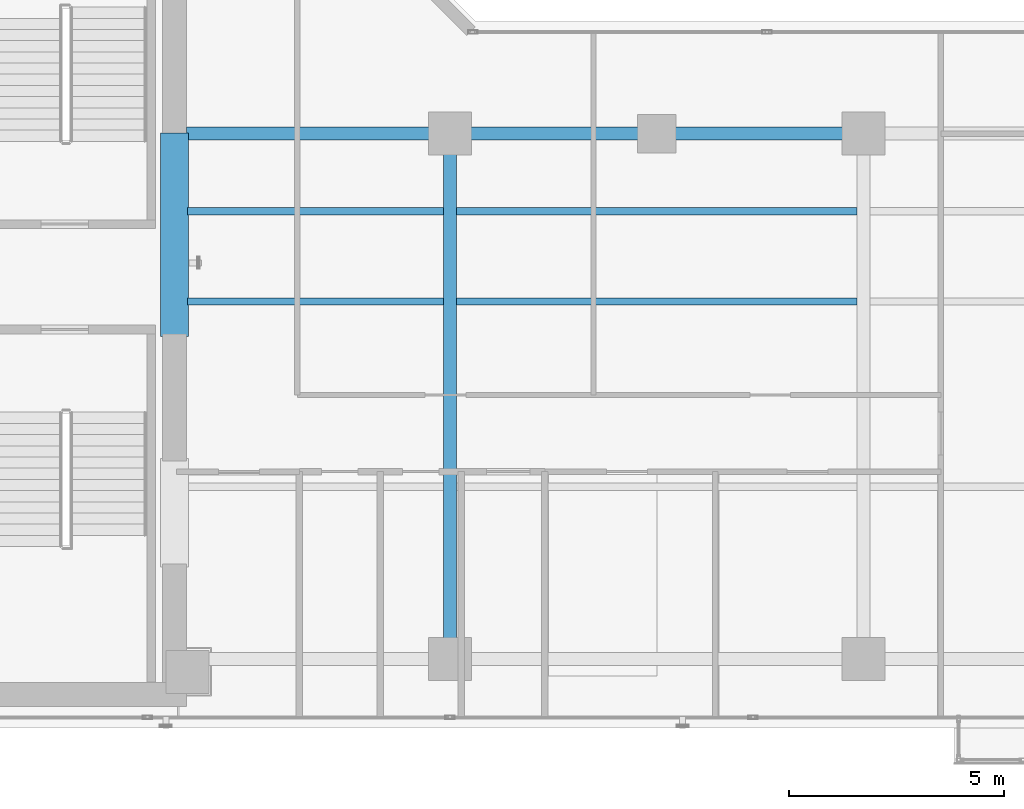
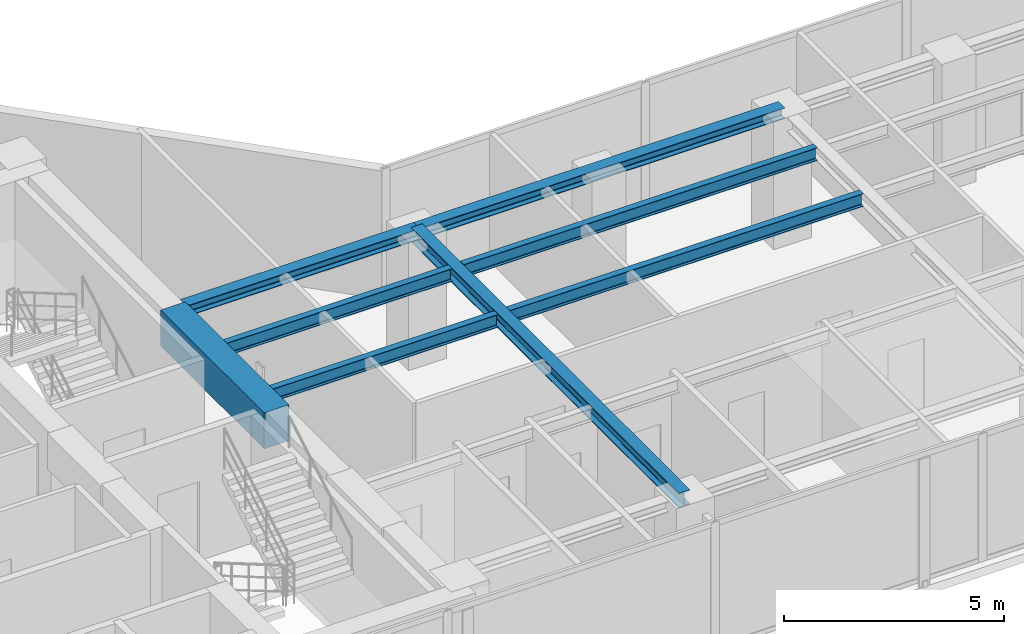
# One storey, part 5 of 23: 8 beams.
"""IFC4 building model written with IfcOpenShell, lengths in metres."""

from ifc_helpers import new_model, si_unit, direction, frame, origin, origin_2d, place, context, subcontext, project, spatial, rectangle, i_section, extrude, material, material_profile, profile_set, type_object, element, save


model = new_model("IFC4")

# Units and contexts
model_context = context("Model", 3, precision=1e-05, world=origin(), true_north=direction((0.0, 1.0)))
body_context = subcontext(model_context, "Body", "Model", "MODEL_VIEW")
ifc_project = project(units=[si_unit("LENGTHUNIT", "METRE"), si_unit("AREAUNIT", "SQUARE_METRE"), si_unit("VOLUMEUNIT", "CUBIC_METRE"), si_unit("PLANEANGLEUNIT", "RADIAN"), si_unit("MASSUNIT", "GRAM", prefix="KILO")], contexts=[model_context])

# Site, building, storey
site_placement = place(None, origin())
site = spatial("IfcSite", under=ifc_project, at=site_placement, CompositionType="ELEMENT")
building_placement = place(site_placement, origin())
building = spatial("IfcBuilding", under=site, at=building_placement, Name="Kolvaren Waterfront Exchange", CompositionType="ELEMENT")
storey_placement = place(building_placement, frame((0.0, 0.0, 242.5)))
storey = spatial("IfcBuildingStorey", under=building, at=storey_placement, Name="L62", CompositionType="ELEMENT", Elevation=242.5)

# Beams
ifc_material_1 = material(Name="Steel S355", Category="steel")
ifc_material_profile_1 = material_profile(ifc_material_1, i_section(OverallWidth=0.300048828125, OverallDepth=0.300048828125, WebThickness=0.010986328125, FlangeThickness=0.01904296875, FilletRadius=0.027099609375, at=origin_2d()), Name="HEB300")
ifc_profile_set_1 = profile_set([ifc_material_profile_1], Name="Steel S355")
beam_type_1 = type_object("IfcBeamType", Name="STR-BM-HEB300", PredefinedType="SPANDREL", material=ifc_profile_set_1)
beam_1_placement = place(storey_placement, frame((21.074951171875, 17.39990234375, 3.409912109375), z_axis=(1.0, 0.0, 0.0), x_axis=(0.0, 1.0, 0.0)))
element("IfcBeam", 1, at=beam_1_placement, inside=storey, type_object=beam_type_1, Name="L62 east-arm spandrel N1", PredefinedType="SPANDREL", context=body_context, shape_type="SweptSolid", body=[
    extrude(i_section(OverallWidth=0.300048828125, OverallDepth=0.300048828125, WebThickness=0.010986328125, FlangeThickness=0.01904296875, FilletRadius=0.027099609375, at=origin_2d()), origin(), (0.0, 0.0, 1.0), 6.125),
])
beam_2_placement = place(storey_placement, frame((27.199951171875, 17.39990234375, 3.409912109375), z_axis=(1.0, 0.0, 0.0), x_axis=(0.0, 1.0, 0.0)))
element("IfcBeam", 2, at=beam_2_placement, inside=storey, type_object=beam_type_1, Name="L62 east-arm spandrel N2", PredefinedType="SPANDREL", context=body_context, shape_type="SweptSolid", body=[
    extrude(i_section(OverallWidth=0.300048828125, OverallDepth=0.300048828125, WebThickness=0.010986328125, FlangeThickness=0.01904296875, FilletRadius=0.027099609375, at=origin_2d()), origin(), (0.0, 0.0, 1.0), 9.60009765625),
])
ifc_material_profile_2 = material_profile(ifc_material_1, i_section(OverallWidth=0.300048828125, OverallDepth=0.39990234375, WebThickness=0.013427734375, FlangeThickness=0.02392578125, FilletRadius=0.027099609375, at=origin_2d()), Name="HEB400")
ifc_profile_set_2 = profile_set([ifc_material_profile_2], Name="Steel S355")
beam_type_2 = type_object("IfcBeamType", Name="STR-BM-HEB400", PredefinedType="BEAM", material=ifc_profile_set_2)
beam_3_placement = place(storey_placement, frame((27.199951171875, 5.199951171875, 3.360107421875), z_axis=(0.0, 1.0, 0.0), x_axis=(-1.0, 0.0, 0.0)))
element("IfcBeam", 3, at=beam_3_placement, inside=storey, type_object=beam_type_2, Name="L62 east-arm transverse girder X27", PredefinedType="BEAM", context=body_context, shape_type="SweptSolid", body=[
    extrude(i_section(OverallWidth=0.300048828125, OverallDepth=0.39990234375, WebThickness=0.013427734375, FlangeThickness=0.02392578125, FilletRadius=0.027099609375, at=origin_2d()), origin(), (0.0, 0.0, 1.0), 12.199951171875),
])
ifc_material_profile_3 = material_profile(ifc_material_1, i_section(OverallWidth=0.169921875, OverallDepth=0.360107421875, WebThickness=0.008056640625, FlangeThickness=0.0126953125, FilletRadius=0.01806640625, at=origin_2d()), Name="IPE360")
ifc_profile_set_3 = profile_set([ifc_material_profile_3], Name="Steel S355")
beam_type_3 = type_object("IfcBeamType", Name="STR-BM-IPE360", PredefinedType="JOIST", material=ifc_profile_set_3)
for number, where, z_axis, x_axis, name in (
    (4, (21.10009765625, 13.5, 3.3798828125), (1.0, 0.0, 0.0), (0.0, 1.0, 0.0), "L62 east-arm composite joist 1A"),
    (5, (21.10009765625, 15.60009765625, 3.3798828125), (1.0, 0.0, 0.0), (0.0, 1.0, 0.0), "L62 east-arm composite joist 1C"),
):
    element("IfcBeam", number, at=place(storey_placement, frame(where, z_axis=z_axis, x_axis=x_axis)), inside=storey, type_object=beam_type_3, Name=name, PredefinedType="JOIST", context=body_context, shape_type="SweptSolid", body=[
        extrude(i_section(OverallWidth=0.169921875, OverallDepth=0.360107421875, WebThickness=0.008056640625, FlangeThickness=0.0126953125, FilletRadius=0.01806640625, at=origin_2d()), origin(), (0.0, 0.0, 1.0), 5.947998046875),
    ])
for number, where, z_axis, x_axis, name in (
    (6, (27.35205078125, 13.5, 3.3798828125), (1.0, 0.0, 0.0), (0.0, 1.0, 0.0), "L62 east-arm composite joist 2A"),
    (7, (27.35205078125, 15.60009765625, 3.3798828125), (1.0, 0.0, 0.0), (0.0, 1.0, 0.0), "L62 east-arm composite joist 2C"),
):
    element("IfcBeam", number, at=place(storey_placement, frame(where, z_axis=z_axis, x_axis=x_axis)), inside=storey, type_object=beam_type_3, Name=name, PredefinedType="JOIST", context=body_context, shape_type="SweptSolid", body=[
        extrude(i_section(OverallWidth=0.169921875, OverallDepth=0.360107421875, WebThickness=0.008056640625, FlangeThickness=0.0126953125, FilletRadius=0.01806640625, at=origin_2d()), origin(), (0.0, 0.0, 1.0), 9.2958984375),
    ])
ifc_material_2 = material(Name="Concrete C60/75", Category="concrete")
ifc_material_profile_4 = material_profile(ifc_material_2, rectangle(XDim=0.64990234375, YDim=1.0, at=origin_2d()), Name="RC-CB-1000x650")
ifc_profile_set_4 = profile_set([ifc_material_profile_4], Name="Concrete C60/75")
beam_type_4 = type_object("IfcBeamType", Name="STR-CB-1000", PredefinedType="SPANDREL", material=ifc_profile_set_4)
beam_4_placement = place(storey_placement, frame((20.800048828125, 12.68994140625, 3.06005859375), z_axis=(0.0, 1.0, 0.0), x_axis=(-1.0, 0.0, 0.0)))
element("IfcBeam", 8, at=beam_4_placement, inside=storey, type_object=beam_type_4, Name="L62 core coupling beam 2", PredefinedType="SPANDREL", context=body_context, shape_type="SweptSolid", body=[
    extrude(rectangle(XDim=0.64990234375, YDim=1.0, at=origin_2d()), origin(), (0.0, 0.0, 1.0), 4.719970703125),
])

save(model, "model.ifc")
